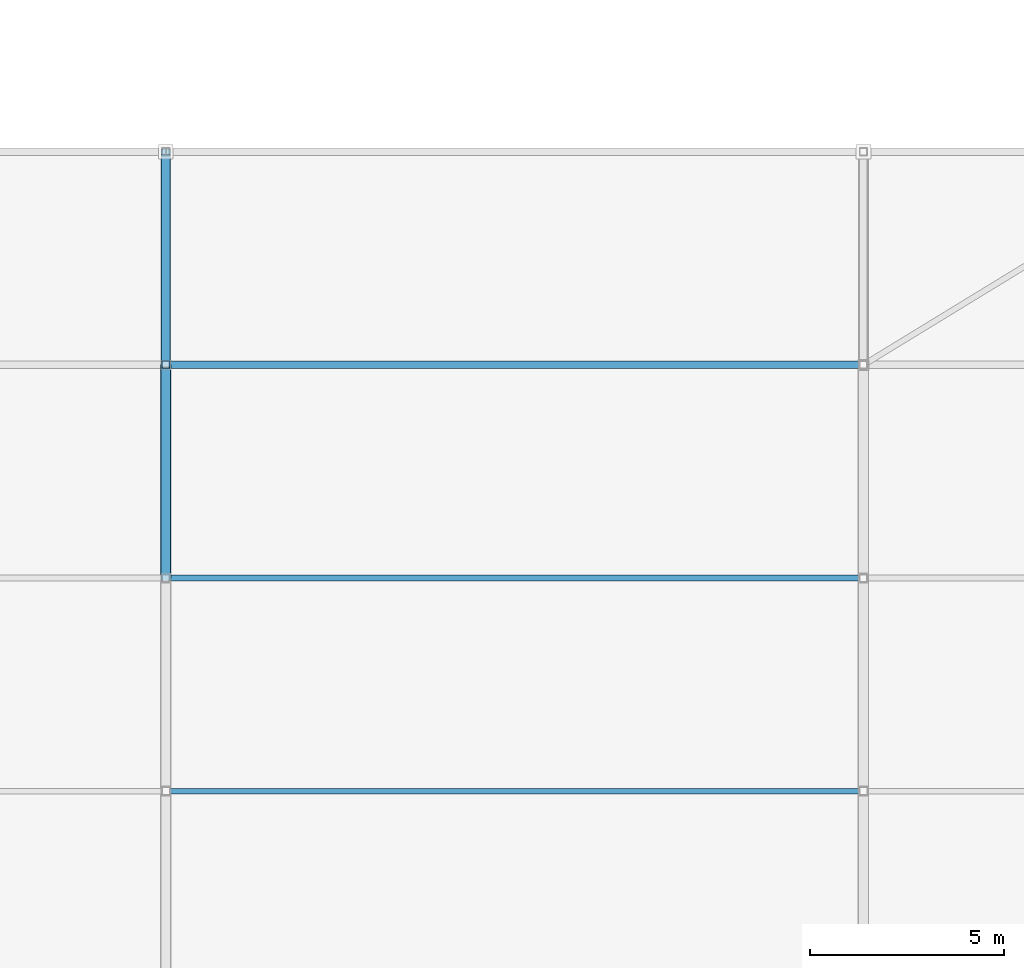
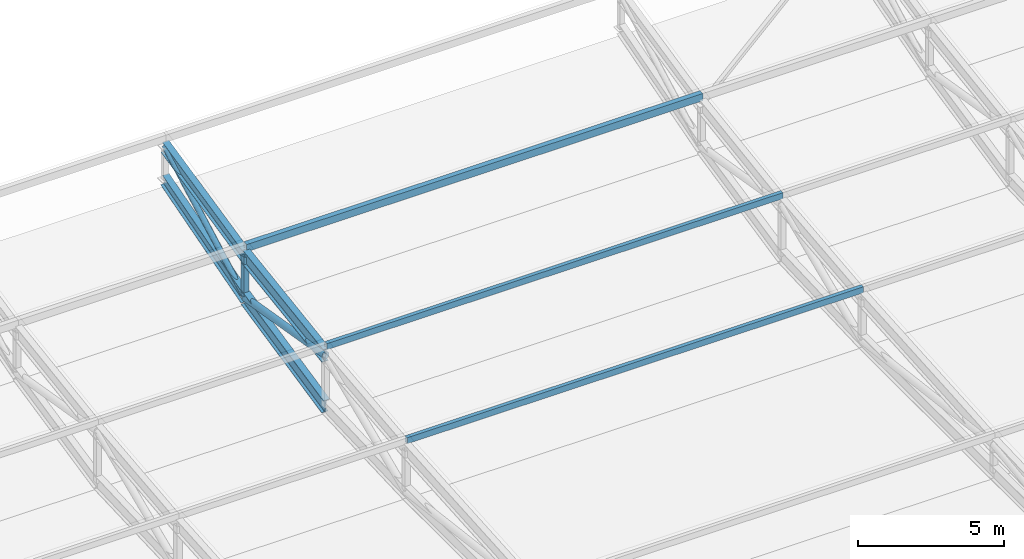
# One storey, part 17 of 114: 6 members, 4 beams.
"""IFC4 building model written with IfcOpenShell, lengths in metres."""

from ifc_helpers import new_model, si_unit, direction, frame, origin, origin_2d, place, context, subcontext, project, spatial, hollow_rectangle, hollow_circle, i_section, extrude, material, material_profile, profile_set, type_object, element, save


model = new_model("IFC4")

# Units and contexts
model_context = context("Model", 3, precision=1e-05, world=origin(), true_north=direction((0.0, 1.0)))
body_context = subcontext(model_context, "Body", "Model", "MODEL_VIEW")
ifc_project = project(units=[si_unit("LENGTHUNIT", "METRE"), si_unit("AREAUNIT", "SQUARE_METRE"), si_unit("VOLUMEUNIT", "CUBIC_METRE"), si_unit("PLANEANGLEUNIT", "RADIAN"), si_unit("MASSUNIT", "GRAM", prefix="KILO"), si_unit("THERMODYNAMICTEMPERATUREUNIT", "KELVIN"), si_unit("POWERUNIT", "WATT")], contexts=[model_context])

# Site, building, storey
site_placement = place(None, origin())
site = spatial("IfcSite", under=ifc_project, at=site_placement, CompositionType="ELEMENT")
building_placement = place(site_placement, origin())
building = spatial("IfcBuilding", under=site, at=building_placement, Name="Sindhuravela Promenade Stadium", CompositionType="ELEMENT")
storey_placement = place(building_placement, frame((0.0, 0.0, 24.0)))
storey = spatial("IfcBuildingStorey", under=building, at=storey_placement, Name="L05", CompositionType="ELEMENT", Elevation=24.0)

# Beams
ifc_material = material(Name="Steel E350 (IS 2062 E350BR)", Category="steel")
ifc_material_profile_1 = material_profile(ifc_material, i_section(OverallWidth=0.25, OverallDepth=0.5, WebThickness=0.010009765625, FlangeThickness=0.0146484375, FilletRadius=0.014892578125, at=origin_2d()), Name="ISWB 500")
ifc_profile_set_1 = profile_set([ifc_material_profile_1], Name="Steel E350 (IS 2062 E350BR)")
beam_type_1 = type_object("IfcBeamType", Name="ST-BM-WB500", PredefinedType="USERDEFINED", material=ifc_profile_set_1)
beam_1_placement = place(storey_placement, frame((81.0, 38.0, 3.169189453125), z_axis=(0.0, 0.9758669805330386, 0.2183658313595103), x_axis=(-1.0, 0.0, 0.0)))
element("IfcBeam", 1, at=beam_1_placement, inside=storey, type_object=beam_type_1, Name="Roof truss RT-S03 top chord 5", ObjectType="ROOF TRUSS", PredefinedType="USERDEFINED", context=body_context, shape_type="SweptSolid", body=[
    extrude(i_section(OverallWidth=0.25, OverallDepth=0.5, WebThickness=0.010009765625, FlangeThickness=0.0146484375, FilletRadius=0.014892578125, at=origin_2d()), origin(), (0.0, 0.0, 1.0), 5.635986328125),
])
beam_2_placement = place(storey_placement, frame((81.0, 38.0, 1.419189453125), z_axis=(0.0, 0.9599274278129861, 0.28024869907342015), x_axis=(-1.0, 0.0, 0.0)))
element("IfcBeam", 2, at=beam_2_placement, inside=storey, type_object=beam_type_1, Name="Roof truss RT-S03 bottom chord 5", ObjectType="ROOF TRUSS", PredefinedType="USERDEFINED", context=body_context, shape_type="SweptSolid", body=[
    extrude(i_section(OverallWidth=0.25, OverallDepth=0.5, WebThickness=0.010009765625, FlangeThickness=0.0146484375, FilletRadius=0.014892578125, at=origin_2d()), origin(), (0.0, 0.0, 1.0), 5.7294921875),
])
ifc_material_profile_2 = material_profile(ifc_material, i_section(OverallWidth=0.25, OverallDepth=0.60009765625, WebThickness=0.01171875, FlangeThickness=0.023681640625, FilletRadius=0.01708984375, at=origin_2d()), Name="ISWB 600")
ifc_profile_set_2 = profile_set([ifc_material_profile_2], Name="Steel E350 (IS 2062 E350BR)")
beam_type_2 = type_object("IfcBeamType", Name="ST-BM-WB600", PredefinedType="USERDEFINED", material=ifc_profile_set_2)
beam_3_placement = place(storey_placement, frame((81.0, 32.5, 2.3525390625), z_axis=(0.0, 0.9891555530237203, 0.14687168523012892), x_axis=(-1.0, 0.0, 0.0)))
element("IfcBeam", 3, at=beam_3_placement, inside=storey, type_object=beam_type_2, Name="Roof truss RT-S03 top chord 4", ObjectType="ROOF TRUSS", PredefinedType="USERDEFINED", context=body_context, shape_type="SweptSolid", body=[
    extrude(i_section(OverallWidth=0.25, OverallDepth=0.60009765625, WebThickness=0.01171875, FlangeThickness=0.023681640625, FilletRadius=0.01708984375, at=origin_2d()), origin(), (0.0, 0.0, 1.0), 5.560302734375),
])
beam_4_placement = place(storey_placement, frame((81.0, 32.5, 0.2275390625), z_axis=(0.0, 0.9773237385626684, 0.21175058451368894), x_axis=(-1.0, 0.0, 0.0)))
element("IfcBeam", 4, at=beam_4_placement, inside=storey, type_object=beam_type_2, Name="Roof truss RT-S03 bottom chord 4", ObjectType="ROOF TRUSS", PredefinedType="USERDEFINED", context=body_context, shape_type="SweptSolid", body=[
    extrude(i_section(OverallWidth=0.25, OverallDepth=0.60009765625, WebThickness=0.01171875, FlangeThickness=0.023681640625, FilletRadius=0.01708984375, at=origin_2d()), origin(), (0.0, 0.0, 1.0), 5.627685546875),
])

# Members
ifc_material_profile_3 = material_profile(ifc_material, hollow_circle(Radius=0.109619140625, WallThickness=0.010009765625, at=origin_2d()), Name="CHS 219.1x10")
ifc_profile_set_3 = profile_set([ifc_material_profile_3], Name="Steel E350 (IS 2062 E350BR)")
member_type_1 = type_object("IfcMemberType", Name="ST-MB-CHS219", PredefinedType="BRACE", material=ifc_profile_set_3)
member_1_placement = place(storey_placement, frame((81.0, 38.0, 1.419189453125), z_axis=(0.0, 0.8791884339384995, 0.47647423605979855), x_axis=(-1.0, 0.0, 0.0)))
element("IfcMember", 5, at=member_1_placement, inside=storey, type_object=member_type_1, Name="Roof truss RT-S03 diagonal web 5", PredefinedType="BRACE", context=body_context, shape_type="SweptSolid", body=[
    extrude(hollow_circle(Radius=0.109619140625, WallThickness=0.010009765625, at=origin_2d()), origin(), (0.0, 0.0, 1.0), 6.255859375),
])
ifc_material_profile_4 = material_profile(ifc_material, hollow_circle(Radius=0.136474609375, WallThickness=0.010009765625, at=origin_2d()), Name="CHS 273.0x10")
ifc_profile_set_4 = profile_set([ifc_material_profile_4], Name="Steel E350 (IS 2062 E350BR)")
member_type_2 = type_object("IfcMemberType", Name="ST-MB-CHS273", PredefinedType="BRACE", material=ifc_profile_set_4)
member_2_placement = place(storey_placement, frame((81.0, 32.5, 2.3525390625), z_axis=(0.0, 0.9859046851385784, -0.1673079550463772), x_axis=(-1.0, 0.0, 0.0)))
element("IfcMember", 6, at=member_2_placement, inside=storey, type_object=member_type_2, Name="Roof truss RT-S03 diagonal web 4", PredefinedType="BRACE", context=body_context, shape_type="SweptSolid", body=[
    extrude(hollow_circle(Radius=0.136474609375, WallThickness=0.010009765625, at=origin_2d()), origin(), (0.0, 0.0, 1.0), 5.57861328125),
])
ifc_material_profile_5 = material_profile(ifc_material, hollow_rectangle(XDim=0.14990234375, YDim=0.25, WallThickness=0.010009765625, at=origin_2d()), Name="RHS 250x150x10")
ifc_profile_set_5 = profile_set([ifc_material_profile_5], Name="Steel E350 (IS 2062 E350BR)")
member_type_3 = type_object("IfcMemberType", Name="ST-MB-RHS250", PredefinedType="PURLIN", material=ifc_profile_set_5)
for number, where, z_axis, x_axis, name in (
    (7, (81.0, 27.0, 2.1552734375), (1.0, 0.0, 0.0), (0.0, 1.0, 0.0), "Roof purlin PR01 S bay 3.3"),
    (8, (81.0, 32.5, 2.744384765625), (1.0, 0.0, 0.0), (0.0, 1.0, 0.0), "Roof purlin PR01 S bay 3.4"),
):
    element("IfcMember", number, at=place(storey_placement, frame(where, z_axis=z_axis, x_axis=x_axis)), inside=storey, type_object=member_type_3, Name=name, PredefinedType="PURLIN", context=body_context, shape_type="SweptSolid", body=[
        extrude(hollow_rectangle(XDim=0.14990234375, YDim=0.25, WallThickness=0.010009765625, at=origin_2d()), origin(), (0.0, 0.0, 1.0), 18.0),
    ])
ifc_material_profile_6 = material_profile(ifc_material, hollow_rectangle(XDim=0.199951171875, YDim=0.300048828125, WallThickness=0.010009765625, at=origin_2d()), Name="RHS 300x200x10")
ifc_profile_set_6 = profile_set([ifc_material_profile_6], Name="Steel E350 (IS 2062 E350BR)")
member_type_4 = type_object("IfcMemberType", Name="ST-MB-RHS300", PredefinedType="PURLIN", material=ifc_profile_set_6)
member_3_placement = place(storey_placement, frame((81.0, 38.0, 3.5361328125), z_axis=(1.0, 0.0, 0.0), x_axis=(0.0, 1.0, 0.0)))
element("IfcMember", 9, at=member_3_placement, inside=storey, type_object=member_type_4, Name="Roof purlin PR02 S bay 3.5", PredefinedType="PURLIN", context=body_context, shape_type="SweptSolid", body=[
    extrude(hollow_rectangle(XDim=0.199951171875, YDim=0.300048828125, WallThickness=0.010009765625, at=origin_2d()), origin(), (0.0, 0.0, 1.0), 18.0),
])
ifc_material_profile_7 = material_profile(ifc_material, hollow_rectangle(XDim=0.199951171875, YDim=0.199951171875, WallThickness=0.010009765625, at=origin_2d()), Name="SHS 200x200x10")
ifc_profile_set_7 = profile_set([ifc_material_profile_7], Name="Steel E350 (IS 2062 E350BR)")
member_type_5 = type_object("IfcMemberType", Name="ST-MB-SHS200", PredefinedType="POST", material=ifc_profile_set_7)
member_4_placement = place(storey_placement, frame((81.0, 38.0, 1.419189453125), z_axis=(0.0, 0.0, 1.0), x_axis=(1.0, 0.0, 0.0)))
element("IfcMember", 10, at=member_4_placement, inside=storey, type_object=member_type_5, Name="Roof truss RT-S03 vertical post 5", PredefinedType="POST", context=body_context, shape_type="SweptSolid", body=[
    extrude(hollow_rectangle(XDim=0.199951171875, YDim=0.199951171875, WallThickness=0.010009765625, at=origin_2d()), origin(), (0.0, 0.0, 1.0), 1.75),
])

save(model, "model.ifc")
